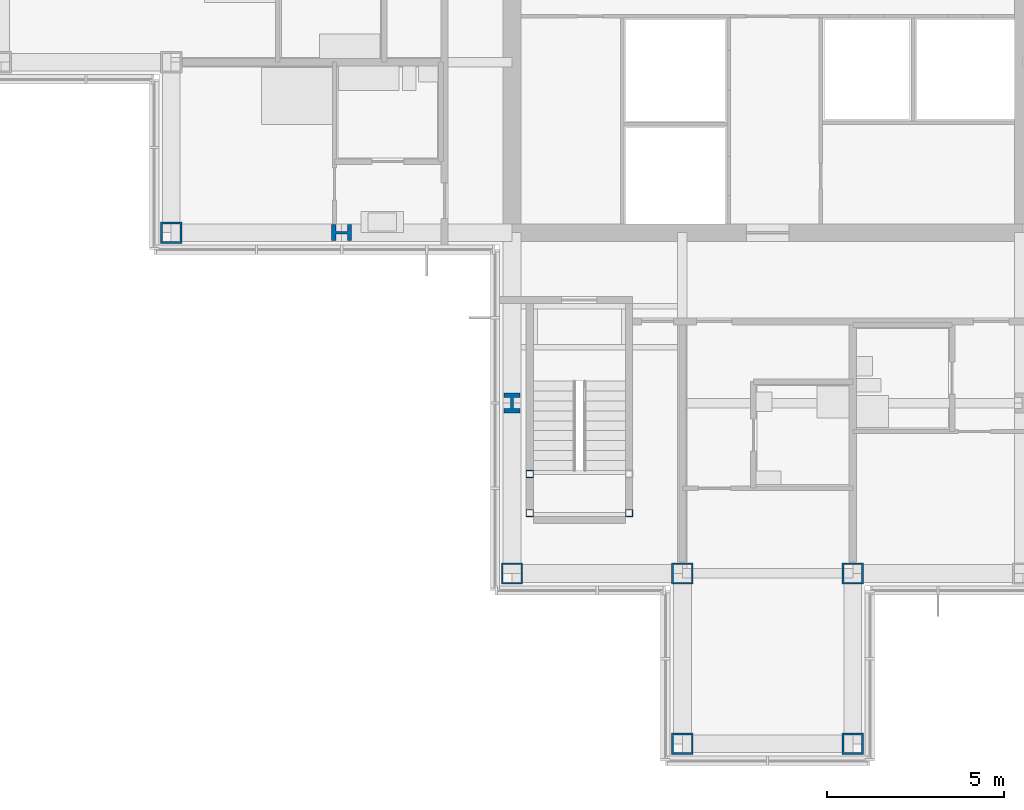
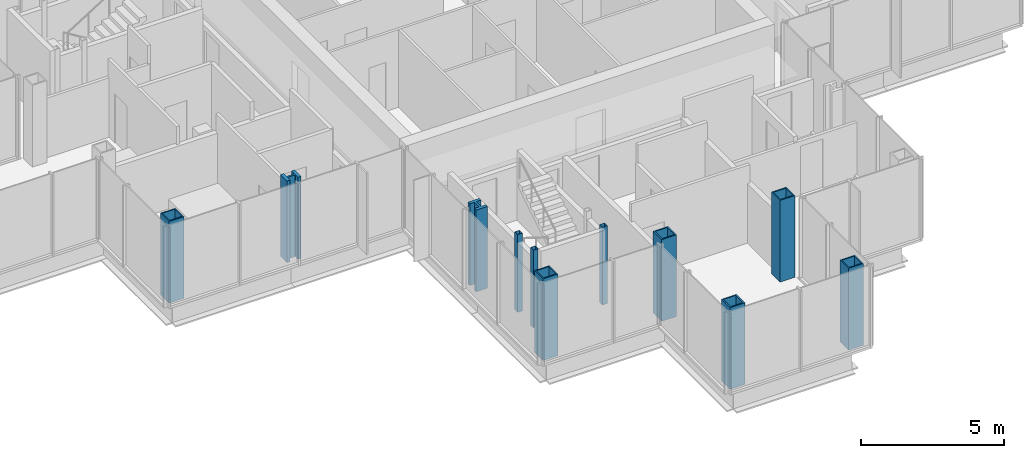
# One storey, part 1 of 15: 11 columns.
"""IFC4 building model written with IfcOpenShell, lengths in metres."""

from ifc_helpers import new_model, si_unit, direction, frame, origin, origin_2d, place, context, subcontext, project, spatial, hollow_rectangle, i_section, extrude, material, material_profile, profile_set, type_object, element, save


model = new_model("IFC4")

# Units and contexts
model_context = context("Model", 3, precision=1e-05, world=origin(), true_north=direction((0.0, 1.0)))
body_context = subcontext(model_context, "Body", "Model", "MODEL_VIEW")
ifc_project = project(units=[si_unit("LENGTHUNIT", "METRE"), si_unit("AREAUNIT", "SQUARE_METRE"), si_unit("VOLUMEUNIT", "CUBIC_METRE"), si_unit("PLANEANGLEUNIT", "RADIAN"), si_unit("MASSUNIT", "GRAM", prefix="KILO")], contexts=[model_context])

# Site, building, storey
site_placement = place(None, origin())
site = spatial("IfcSite", under=ifc_project, at=site_placement, CompositionType="ELEMENT")
building_placement = place(site_placement, origin())
building = spatial("IfcBuilding", under=site, at=building_placement, Name="Kvirike Care Tower", CompositionType="ELEMENT")
storey_placement = place(building_placement, frame((0.0, 0.0, 212.0)))
storey = spatial("IfcBuildingStorey", under=building, at=storey_placement, Name="L58", CompositionType="ELEMENT", Elevation=212.0)

# Columns
ifc_material_1 = material(Name="Steel S460", Category="steel")
ifc_material_profile_1 = material_profile(ifc_material_1, hollow_rectangle(XDim=0.60009765625, YDim=0.60009765625, WallThickness=0.050048828125, at=origin_2d()), Name="BX 600x600x50")
ifc_profile_set_1 = profile_set([ifc_material_profile_1], Name="Steel S460")
column_type_1 = type_object("IfcColumnType", Name="COLUMN BX 600x600x50", PredefinedType="COLUMN", material=ifc_profile_set_1)
for number, where, z_axis, x_axis, name in (
    (1, (4.800048828125, 28.800048828125, 0.0), (0.0, 0.0, 1.0), (0.0, 1.0, 0.0), "Column G4 L58"),
    (2, (14.39990234375, 19.199951171875, 0.0), (0.0, 0.0, 1.0), (0.0, 1.0, 0.0), "Column E6 L58"),
    (3, (19.199951171875, 14.39990234375, 0.0), (0.0, 0.0, 1.0), (0.0, 1.0, 0.0), "Column D7 L58"),
    (4, (19.199951171875, 19.199951171875, 0.0), (0.0, 0.0, 1.0), (0.0, 1.0, 0.0), "Column E7 L58"),
    (5, (24.0, 14.39990234375, 0.0), (0.0, 0.0, 1.0), (0.0, 1.0, 0.0), "Column D8 L58"),
    (6, (24.0, 19.199951171875, 0.0), (0.0, 0.0, 1.0), (0.0, 1.0, 0.0), "Column E8 L58"),
):
    element("IfcColumn", number, at=place(storey_placement, frame(where, z_axis=z_axis, x_axis=x_axis)), inside=storey, type_object=column_type_1, Name=name, PredefinedType="COLUMN", context=body_context, shape_type="SweptSolid", body=[
        extrude(hollow_rectangle(XDim=0.60009765625, YDim=0.60009765625, WallThickness=0.050048828125, at=origin_2d()), origin(), (0.0, 0.0, 1.0), 3.5),
    ])
ifc_material_2 = material(Name="Steel S460", Category="steel")
ifc_material_profile_2 = material_profile(ifc_material_2, i_section(OverallWidth=0.4541015625, OverallDepth=0.569091796875, WebThickness=0.077880859375, FlangeThickness=0.125, FilletRadius=0.014892578125, at=origin_2d()), Name="HD 400x1086")
ifc_profile_set_2 = profile_set([ifc_material_profile_2], Name="Steel S460")
column_type_2 = type_object("IfcColumnType", Name="COLUMN HD 400x1086", PredefinedType="COLUMN", material=ifc_profile_set_2)
for number, where, z_axis, x_axis, name in (
    (7, (9.60009765625, 28.800048828125, 0.0), (0.0, 0.0, 1.0), (0.0, 1.0, 0.0), "Column G5 L58"),
    (8, (14.39990234375, 24.0, 0.0), (0.0, 0.0, 1.0), (1.0, 0.0, 0.0), "Column F6 L58"),
):
    element("IfcColumn", number, at=place(storey_placement, frame(where, z_axis=z_axis, x_axis=x_axis)), inside=storey, type_object=column_type_2, Name=name, PredefinedType="COLUMN", context=body_context, shape_type="SweptSolid", body=[
        extrude(i_section(OverallWidth=0.4541015625, OverallDepth=0.569091796875, WebThickness=0.077880859375, FlangeThickness=0.125, FilletRadius=0.014892578125, at=origin_2d()), origin(), (0.0, 0.0, 1.0), 3.5),
    ])
ifc_material_3 = material(Name="Steel S460", Category="steel")
ifc_material_profile_3 = material_profile(ifc_material_3, hollow_rectangle(XDim=0.199951171875, YDim=0.199951171875, WallThickness=0.008056640625, at=origin_2d()), Name="SHS 200x200x8")
ifc_profile_set_3 = profile_set([ifc_material_profile_3], Name="Steel S460")
column_type_3 = type_object("IfcColumnType", Name="STAIR POST SHS 200x200x8", PredefinedType="COLUMN", material=ifc_profile_set_3)
for number, where, z_axis, x_axis, name in (
    (9, (14.89990234375, 20.89990234375, 0.0), (0.0, 0.0, 1.0), (1.0, 0.0, 0.0), "Stair 5 post 1 L58"),
    (10, (17.699951171875, 20.89990234375, 0.0), (0.0, 0.0, 1.0), (1.0, 0.0, 0.0), "Stair 5 post 2 L58"),
    (11, (14.89990234375, 22.0, 0.0), (0.0, 0.0, 1.0), (1.0, 0.0, 0.0), "Stair 5 post 3 L58"),
):
    element("IfcColumn", number, at=place(storey_placement, frame(where, z_axis=z_axis, x_axis=x_axis)), inside=storey, type_object=column_type_3, Name=name, PredefinedType="COLUMN", context=body_context, shape_type="SweptSolid", body=[
        extrude(hollow_rectangle(XDim=0.199951171875, YDim=0.199951171875, WallThickness=0.008056640625, at=origin_2d()), origin(), (0.0, 0.0, 1.0), 3.330078125),
    ])

save(model, "model.ifc")
